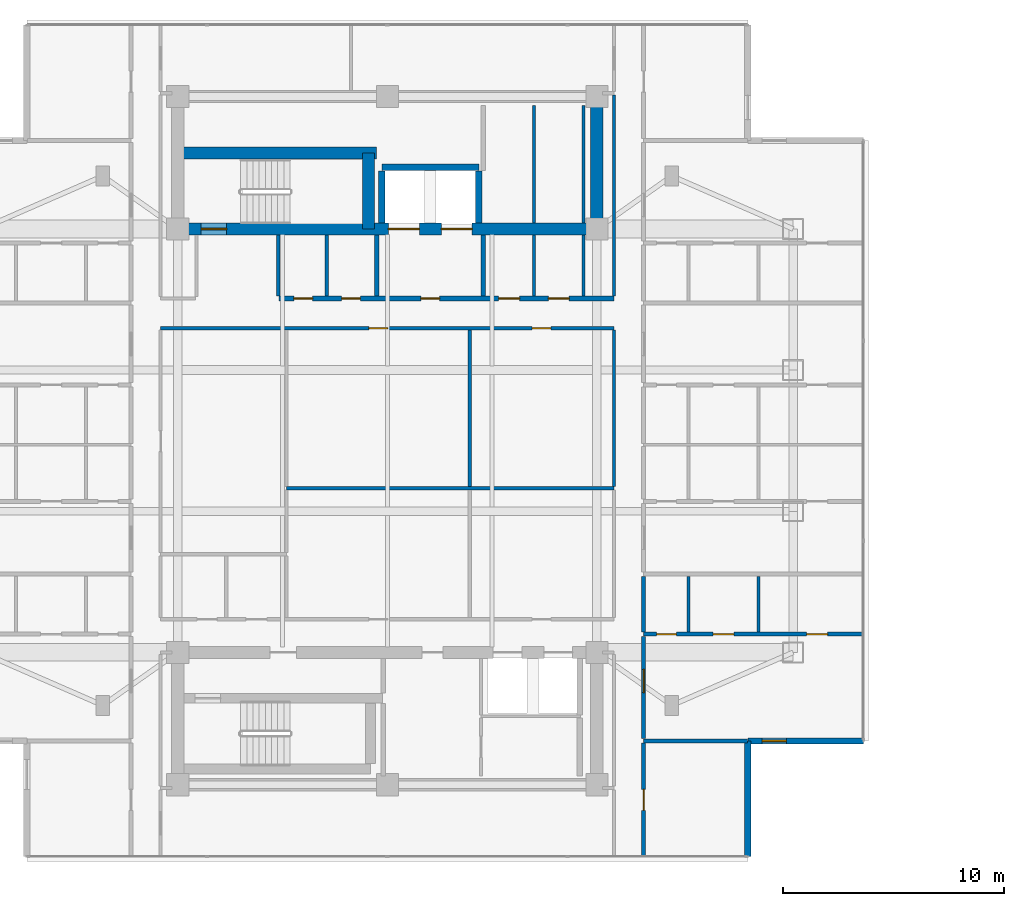
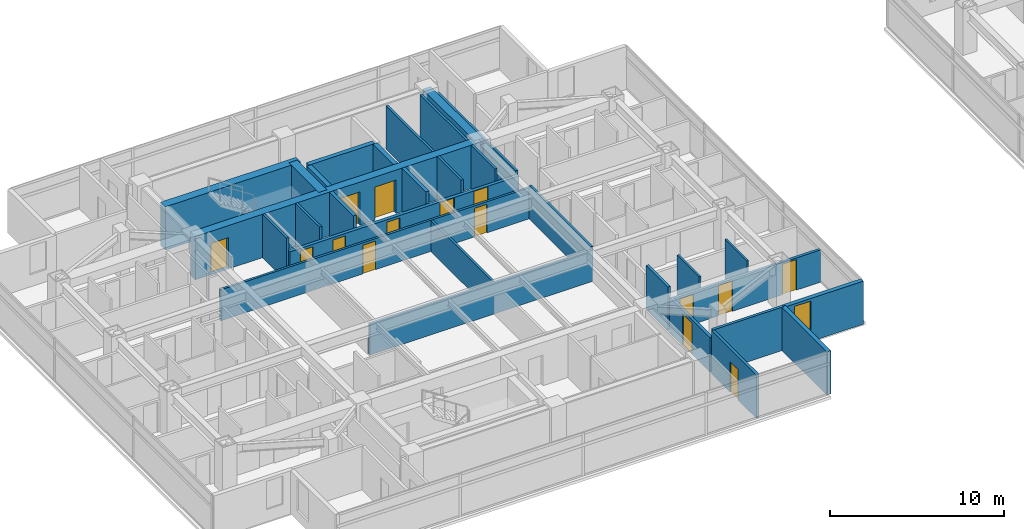
# One storey, part 14 of 25: 30 walls, 15 doors, 1 window, 16 openings.
"""IFC4 building model written with IfcOpenShell, lengths in metres."""

from ifc_helpers import new_model, si_unit, direction, frame, frame_2d, origin, place, context, subcontext, project, spatial, rectangle, extrude, material, layer, layer_set, type_object, element, fill, save


model = new_model("IFC4")

# Units and contexts
model_context = context("Model", 3, precision=1e-05, world=origin(), true_north=direction((0.0, 1.0)))
body_context = subcontext(model_context, "Body", "Model", "MODEL_VIEW")
ifc_project = project(units=[si_unit("LENGTHUNIT", "METRE"), si_unit("AREAUNIT", "SQUARE_METRE"), si_unit("VOLUMEUNIT", "CUBIC_METRE"), si_unit("PLANEANGLEUNIT", "RADIAN"), si_unit("MASSUNIT", "GRAM", prefix="KILO")], contexts=[model_context])

# Site, building, storey
site_placement = place(None, origin())
site = spatial("IfcSite", under=ifc_project, at=site_placement, CompositionType="ELEMENT")
building_placement = place(site_placement, origin())
building = spatial("IfcBuilding", under=site, at=building_placement, Name="Mirazonda Arch Towers", CompositionType="ELEMENT")
storey_placement = place(building_placement, frame((0.0, 0.0, 177.14990234375)))
storey = spatial("IfcBuildingStorey", under=building, at=storey_placement, Name="L50", CompositionType="ELEMENT", Elevation=177.14990234375)

# Wall
ifc_material_1 = material(Name="Concrete C50/60", Category="concrete")
ifc_layer_1 = layer(ifc_material_1, 0.550048828125, Name="WALL-CORE-550")
ifc_layer_set_1 = layer_set([ifc_layer_1], Name="Concrete C50/60")
wall_type_1 = type_object("IfcWallType", Name="WALL-CORE-550", PredefinedType="SHEAR", material=ifc_layer_set_1)
wall_1_placement = place(storey_placement, frame((30.0, 37.60009765625, 0.0), z_axis=(0.0, 0.0, 1.0), x_axis=(0.0, 1.0, 0.0)))
element("IfcWall", 1, at=wall_1_placement, inside=storey, type_object=wall_type_1, Name="L50 T1N-E Core Shear Wall", PredefinedType="SHEAR", context=body_context, shape_type="SweptSolid", body=[
    extrude(rectangle(XDim=6.0, YDim=0.550048828125, at=frame_2d((3.0, 0.0))), origin(), (0.0, 0.0, 1.0), 3.050048828125),
])

# Wall, openings, doors
wall_2_placement = place(storey_placement, frame((11.0, 37.60009765625, 0.0), z_axis=(0.0, 0.0, 1.0), x_axis=(1.0, 0.0, 0.0)))
wall_2 = element("IfcWall", 2, at=wall_2_placement, inside=storey, type_object=wall_type_1, Name="L50 T1N-S Core Shear Wall", PredefinedType="SHEAR", context=body_context, shape_type="SweptSolid", body=[
    extrude(rectangle(XDim=19.0, YDim=0.550048828125, at=frame_2d((9.5, 0.0))), origin(), (0.0, 0.0, 1.0), 3.050048828125),
])
opening_1_placement = place(wall_2_placement, frame((1.06005859375, 0.0, 0.0)))
opening_1 = element("IfcOpeningElement", 3, at=opening_1_placement, cuts=wall_2, Name="Opening DR-135", PredefinedType="OPENING", context=body_context, shape_type="SweptSolid", body=[
    extrude(rectangle(XDim=1.14990234375, YDim=2.199951171875, at=frame_2d((0.574951171875, 1.10009765625))), frame((0.0, 0.284912109375, 0.0), z_axis=(0.0, -1.0, 0.0), x_axis=(1.0, 0.0, 0.0)), (0.0, 0.0, 1.0), 0.570068359375),
])
opening_2_placement = place(wall_2_placement, frame((9.550048828125, 0.0, 0.0)))
opening_2 = element("IfcOpeningElement", 4, at=opening_2_placement, cuts=wall_2, Name="Opening LD-112", PredefinedType="OPENING", context=body_context, shape_type="SweptSolid", body=[
    extrude(rectangle(XDim=1.39990234375, YDim=2.35009765625, at=frame_2d((0.699951171875, 1.175048828125))), frame((0.0, 0.284912109375, 0.0), z_axis=(0.0, -1.0, 0.0), x_axis=(1.0, 0.0, 0.0)), (0.0, 0.0, 1.0), 0.570068359375),
])
opening_3_placement = place(wall_2_placement, frame((11.949951171875, 0.0, 0.0)))
opening_3 = element("IfcOpeningElement", 5, at=opening_3_placement, cuts=wall_2, Name="Opening LD-112", PredefinedType="OPENING", context=body_context, shape_type="SweptSolid", body=[
    extrude(rectangle(XDim=1.39990234375, YDim=2.35009765625, at=frame_2d((0.699951171875, 1.175048828125))), frame((0.0, 0.284912109375, 0.0), z_axis=(0.0, -1.0, 0.0), x_axis=(1.0, 0.0, 0.0)), (0.0, 0.0, 1.0), 0.570068359375),
])
ifc_material_2 = material(Name="Architectural Brushed Steel S355", Category="steel")
door_type_1 = type_object("IfcDoorType", Name="DOOR-LIFT-FFL-1400", OperationType="NOTDEFINED", PredefinedType="DOOR", material=ifc_material_2)
door_1_placement = place(opening_2_placement, origin())
door_1 = element("IfcDoor", 6, at=door_1_placement, inside=storey, type_object=door_type_1, Name="L50 Lift Landing Sliding Door FFL-T1", OperationType="DOUBLE_DOOR_SLIDING", OverallHeight=2.35009765625, OverallWidth=1.39990234375, PredefinedType="DOOR", context=body_context, shape_type="SweptSolid", body=[
    extrude(rectangle(XDim=1.39990234375, YDim=2.35009765625, at=frame_2d((0.699951171875, 1.175048828125))), frame((0.0, 0.02490234375, 0.0), z_axis=(0.0, -1.0, 0.0), x_axis=(1.0, 0.0, 0.0)), (0.0, 0.0, 1.0), 0.050048828125),
])
fill(opening_2, door_1)
door_2_placement = place(opening_3_placement, origin())
door_2 = element("IfcDoor", 7, at=door_2_placement, inside=storey, type_object=door_type_1, Name="L50 Lift Landing Sliding Door SVL-T1", OperationType="DOUBLE_DOOR_SLIDING", OverallHeight=2.35009765625, OverallWidth=1.39990234375, PredefinedType="DOOR", context=body_context, shape_type="SweptSolid", body=[
    extrude(rectangle(XDim=1.39990234375, YDim=2.35009765625, at=frame_2d((0.699951171875, 1.175048828125))), frame((0.0, 0.02490234375, 0.0), z_axis=(0.0, -1.0, 0.0), x_axis=(1.0, 0.0, 0.0)), (0.0, 0.0, 1.0), 0.050048828125),
])
fill(opening_3, door_2)
door_type_2 = type_object("IfcDoorType", Name="DOOR-STAIR-FD90-1150", OperationType="NOTDEFINED", PredefinedType="DOOR", material=ifc_material_2)
door_3_placement = place(opening_1_placement, origin())
door_3 = element("IfcDoor", 8, at=door_3_placement, inside=storey, type_object=door_type_2, Name="L50 Protected Exit Stair North Door", OperationType="SINGLE_SWING_LEFT", OverallHeight=2.199951171875, OverallWidth=1.14990234375, PredefinedType="DOOR", context=body_context, shape_type="SweptSolid", body=[
    extrude(rectangle(XDim=1.14990234375, YDim=2.199951171875, at=frame_2d((0.574951171875, 1.10009765625))), frame((0.0, 0.02490234375, 0.0), z_axis=(0.0, -1.0, 0.0), x_axis=(1.0, 0.0, 0.0)), (0.0, 0.0, 1.0), 0.050048828125),
])
fill(opening_1, door_3)

# Walls
wall_3_placement = place(storey_placement, frame((11.0, 41.04296875, 0.0), z_axis=(0.0, 0.0, 1.0), x_axis=(1.0, 0.0, 0.0)))
element("IfcWall", 9, at=wall_3_placement, inside=storey, type_object=wall_type_1, Name="L50 T1N-STN Core Shear Wall", PredefinedType="SHEAR", context=body_context, shape_type="SweptSolid", body=[
    extrude(rectangle(XDim=9.0, YDim=0.550048828125, at=frame_2d((4.5, 0.0))), origin(), (0.0, 0.0, 1.0), 3.050048828125),
])
wall_4_placement = place(storey_placement, frame((19.64990234375, 37.60009765625, 0.0), z_axis=(0.0, 0.0, 1.0), x_axis=(0.0, 1.0, 0.0)))
element("IfcWall", 10, at=wall_4_placement, inside=storey, type_object=wall_type_1, Name="L50 T1N-STE Core Shear Wall", PredefinedType="SHEAR", context=body_context, shape_type="SweptSolid", body=[
    extrude(rectangle(XDim=3.44287109375, YDim=0.550048828125, at=frame_2d((1.721435546875, 0.0))), origin(), (0.0, 0.0, 1.0), 3.050048828125),
])

# Wall, opening, window
ifc_material_3 = material(Name="Precast Concrete C40/50", Category="concrete")
ifc_layer_2 = layer(ifc_material_3, 0.280029296875, Name="WALL-EXT-WALL-280")
ifc_layer_set_2 = layer_set([ifc_layer_2], Name="Precast Concrete C40/50")
wall_type_2 = type_object("IfcWallType", Name="WALL-EXT-WALL-280", PredefinedType="SOLIDWALL", material=ifc_layer_set_2)
wall_5_placement = place(storey_placement, frame((36.844970703125, 14.388916015625, 0.0), z_axis=(0.0, 0.0, 1.0), x_axis=(1.0, 0.0, 0.0)))
wall_5 = element("IfcWall", 11, at=wall_5_placement, inside=storey, type_object=wall_type_2, Name="L50 T1 Corner Notch Return Wall WL-L50-T1-CSE1", PredefinedType="SOLIDWALL", context=body_context, shape_type="SweptSolid", body=[
    extrude(rectangle(XDim=5.2451171875, YDim=0.280029296875, at=frame_2d((2.62255859375, 0.0))), origin(), (0.0, 0.0, 1.0), 3.030029296875),
])
opening_4_placement = place(wall_5_placement, frame((0.64990234375, 0.0, 0.85009765625)))
opening_4 = element("IfcOpeningElement", 12, at=opening_4_placement, cuts=wall_5, Name="Opening WN-108", PredefinedType="OPENING", context=body_context, shape_type="SweptSolid", body=[
    extrude(rectangle(XDim=1.10009765625, YDim=2.0, at=frame_2d((0.550048828125, 1.0))), frame((0.0, 0.14990234375, 0.0), z_axis=(0.0, -1.0, 0.0), x_axis=(1.0, 0.0, 0.0)), (0.0, 0.0, 1.0), 0.300048828125),
])
ifc_material_4 = material(Name="Insulated Low-E Solar Glass", Category="glass")
window_type = type_object("IfcWindowType", Name="WIN-NOTCH-1100x2000", PartitioningType="SINGLE_PANEL", PredefinedType="WINDOW", material=ifc_material_4)
window_placement = place(opening_4_placement, origin())
window = element("IfcWindow", 13, at=window_placement, inside=storey, type_object=window_type, Name="L50 Punched Facade Window WN-L50-T1-CSE1", OverallHeight=2.0, OverallWidth=1.10009765625, PartitioningType="SINGLE_PANEL", PredefinedType="WINDOW", context=body_context, shape_type="SweptSolid", body=[
    extrude(rectangle(XDim=1.10009765625, YDim=2.0, at=frame_2d((0.550048828125, 1.0))), frame((0.0, 0.030029296875, 0.0), z_axis=(0.0, -1.0, 0.0), x_axis=(1.0, 0.0, 0.0)), (0.0, 0.0, 1.0), 0.06005859375),
])
fill(opening_4, window)

# Wall
wall_6_placement = place(storey_placement, frame((36.844970703125, 9.14404296875, 0.0), z_axis=(0.0, 0.0, 1.0), x_axis=(0.0, 1.0, 0.0)))
element("IfcWall", 14, at=wall_6_placement, inside=storey, type_object=wall_type_2, Name="L50 T1 Corner Notch Return Wall WL-L50-T1-CSE2", PredefinedType="SOLIDWALL", context=body_context, shape_type="SweptSolid", body=[
    extrude(rectangle(XDim=5.244873046875, YDim=0.280029296875, at=frame_2d((2.62255859375, 0.0))), origin(), (0.0, 0.0, 1.0), 3.030029296875),
])

# Wall, openings, doors
ifc_material_5 = material(Name="Concrete C40/50", Category="concrete")
ifc_layer_3 = layer(ifc_material_5, 0.219970703125, Name="WALL-FFL-220")
ifc_layer_set_3 = layer_set([ifc_layer_3], Name="Concrete C40/50")
wall_type_3 = type_object("IfcWallType", Name="WALL-FFL-220", PredefinedType="SOLIDWALL", material=ifc_layer_set_3)
wall_7_placement = place(storey_placement, frame((15.590087890625, 34.449951171875, 0.0), z_axis=(0.0, 0.0, 1.0), x_axis=(1.0, 0.0, 0.0)))
wall_7 = element("IfcWall", 15, at=wall_7_placement, inside=storey, type_object=wall_type_3, Name="L50 Interior Partition 050", PredefinedType="SOLIDWALL", context=body_context, shape_type="SweptSolid", body=[
    extrude(rectangle(XDim=15.18994140625, YDim=0.219970703125, at=frame_2d((7.594970703125, 0.0))), origin(), (0.0, 0.0, 1.0), 2.18603515625),
])
opening_5_placement = place(wall_7_placement, frame((6.43505859375, 0.0, 0.0)))
opening_5 = element("IfcOpeningElement", 16, at=opening_5_placement, cuts=wall_7, Name="Opening DR-128", PredefinedType="OPENING", context=body_context, shape_type="SweptSolid", body=[
    extrude(rectangle(XDim=0.85009765625, YDim=2.010009765625, at=frame_2d((0.425048828125, 1.0048828125))), frame((0.0, 0.119873046875, 0.0), z_axis=(0.0, -1.0, 0.0), x_axis=(1.0, 0.0, 0.0)), (0.0, 0.0, 1.0), 0.239990234375),
])
opening_6_placement = place(wall_7_placement, frame((9.9599609375, 0.0, 0.0)))
opening_6 = element("IfcOpeningElement", 17, at=opening_6_placement, cuts=wall_7, Name="Opening DR-104", PredefinedType="OPENING", context=body_context, shape_type="SweptSolid", body=[
    extrude(rectangle(XDim=0.949951171875, YDim=2.14990234375, at=frame_2d((0.47509765625, 1.074951171875))), frame((0.0, 0.119873046875, 0.0), z_axis=(0.0, -1.0, 0.0), x_axis=(1.0, 0.0, 0.0)), (0.0, 0.0, 1.0), 0.239990234375),
])
opening_7_placement = place(wall_7_placement, frame((12.2099609375, 0.0, 0.0)))
opening_7 = element("IfcOpeningElement", 18, at=opening_7_placement, cuts=wall_7, Name="Opening DR-104", PredefinedType="OPENING", context=body_context, shape_type="SweptSolid", body=[
    extrude(rectangle(XDim=0.949951171875, YDim=2.14990234375, at=frame_2d((0.47509765625, 1.074951171875))), frame((0.0, 0.119873046875, 0.0), z_axis=(0.0, -1.0, 0.0), x_axis=(1.0, 0.0, 0.0)), (0.0, 0.0, 1.0), 0.239990234375),
])
opening_8_placement = place(wall_7_placement, frame((0.675048828125, 0.0, 0.0)))
opening_8 = element("IfcOpeningElement", 19, at=opening_8_placement, cuts=wall_7, Name="Opening DR-128", PredefinedType="OPENING", context=body_context, shape_type="SweptSolid", body=[
    extrude(rectangle(XDim=0.85009765625, YDim=2.010009765625, at=frame_2d((0.425048828125, 1.0048828125))), frame((0.0, 0.119873046875, 0.0), z_axis=(0.0, -1.0, 0.0), x_axis=(1.0, 0.0, 0.0)), (0.0, 0.0, 1.0), 0.239990234375),
])
opening_9_placement = place(wall_7_placement, frame((2.8349609375, 0.0, 0.0)))
opening_9 = element("IfcOpeningElement", 20, at=opening_9_placement, cuts=wall_7, Name="Opening DR-128", PredefinedType="OPENING", context=body_context, shape_type="SweptSolid", body=[
    extrude(rectangle(XDim=0.85009765625, YDim=2.010009765625, at=frame_2d((0.425048828125, 1.0048828125))), frame((0.0, 0.119873046875, 0.0), z_axis=(0.0, -1.0, 0.0), x_axis=(1.0, 0.0, 0.0)), (0.0, 0.0, 1.0), 0.239990234375),
])
door_type_3 = type_object("IfcDoorType", Name="DOOR-RISER-FD60-850", OperationType="NOTDEFINED", PredefinedType="DOOR", material=ifc_material_2)
door_4_placement = place(opening_5_placement, origin())
door_4 = element("IfcDoor", 21, at=door_4_placement, inside=storey, type_object=door_type_3, Name="L50 Firefighting Lift Lobby Door", OperationType="SINGLE_SWING_RIGHT", OverallHeight=2.010009765625, OverallWidth=0.85009765625, PredefinedType="DOOR", context=body_context, shape_type="SweptSolid", body=[
    extrude(rectangle(XDim=0.85009765625, YDim=2.010009765625, at=frame_2d((0.425048828125, 1.0048828125))), frame((0.0, 0.02490234375, 0.0), z_axis=(0.0, -1.0, 0.0), x_axis=(1.0, 0.0, 0.0)), (0.0, 0.0, 1.0), 0.050048828125),
])
fill(opening_5, door_4)
door_5_placement = place(opening_8_placement, origin())
door_5 = element("IfcDoor", 22, at=door_5_placement, inside=storey, type_object=door_type_3, Name="L50 Electrical Room Door", OperationType="SINGLE_SWING_LEFT", OverallHeight=2.010009765625, OverallWidth=0.85009765625, PredefinedType="DOOR", context=body_context, shape_type="SweptSolid", body=[
    extrude(rectangle(XDim=0.85009765625, YDim=2.010009765625, at=frame_2d((0.425048828125, 1.0048828125))), frame((0.0, 0.02490234375, 0.0), z_axis=(0.0, -1.0, 0.0), x_axis=(1.0, 0.0, 0.0)), (0.0, 0.0, 1.0), 0.050048828125),
])
fill(opening_8, door_5)
door_6_placement = place(opening_9_placement, origin())
door_6 = element("IfcDoor", 23, at=door_6_placement, inside=storey, type_object=door_type_3, Name="L50 Cleaners & Housekeeping Store Door", OperationType="SINGLE_SWING_RIGHT", OverallHeight=2.010009765625, OverallWidth=0.85009765625, PredefinedType="DOOR", context=body_context, shape_type="SweptSolid", body=[
    extrude(rectangle(XDim=0.85009765625, YDim=2.010009765625, at=frame_2d((0.425048828125, 1.0048828125))), frame((0.0, 0.02490234375, 0.0), z_axis=(0.0, -1.0, 0.0), x_axis=(1.0, 0.0, 0.0)), (0.0, 0.0, 1.0), 0.050048828125),
])
fill(opening_9, door_6)
door_type_4 = type_object("IfcDoorType", Name="DOOR-ROOM-950", OperationType="NOTDEFINED", PredefinedType="DOOR", material=ifc_material_2)
door_7_placement = place(opening_6_placement, origin())
door_7 = element("IfcDoor", 24, at=door_7_placement, inside=storey, type_object=door_type_4, Name="L50 Residents Private Art Gallery Door", OperationType="SINGLE_SWING_LEFT", OverallHeight=2.14990234375, OverallWidth=0.949951171875, PredefinedType="DOOR", context=body_context, shape_type="SweptSolid", body=[
    extrude(rectangle(XDim=0.949951171875, YDim=2.14990234375, at=frame_2d((0.47509765625, 1.074951171875))), frame((0.0, 0.02490234375, 0.0), z_axis=(0.0, -1.0, 0.0), x_axis=(1.0, 0.0, 0.0)), (0.0, 0.0, 1.0), 0.050048828125),
])
fill(opening_6, door_7)
door_8_placement = place(opening_7_placement, origin())
door_8 = element("IfcDoor", 25, at=door_8_placement, inside=storey, type_object=door_type_4, Name="L50 Private Quiet Study Door", OperationType="SINGLE_SWING_RIGHT", OverallHeight=2.14990234375, OverallWidth=0.949951171875, PredefinedType="DOOR", context=body_context, shape_type="SweptSolid", body=[
    extrude(rectangle(XDim=0.949951171875, YDim=2.14990234375, at=frame_2d((0.47509765625, 1.074951171875))), frame((0.0, 0.02490234375, 0.0), z_axis=(0.0, -1.0, 0.0), x_axis=(1.0, 0.0, 0.0)), (0.0, 0.0, 1.0), 0.050048828125),
])
fill(opening_7, door_8)

# Walls
for number, where, z_axis, x_axis, name in (
    (26, (20.02490234375, 34.570068359375, 0.0), (0.0, 0.0, 1.0), (0.0, 1.0, 0.0), "L50 Interior Partition 097"),
    (27, (24.85009765625, 34.570068359375, 0.0), (0.0, 0.0, 1.0), (0.0, 1.0, 0.0), "L50 Interior Partition 106"),
):
    element("IfcWall", number, at=place(storey_placement, frame(where, z_axis=z_axis, x_axis=x_axis)), inside=storey, type_object=wall_type_3, Name=name, PredefinedType="SOLIDWALL", context=body_context, shape_type="SweptSolid", body=[
        extrude(rectangle(XDim=2.760009765625, YDim=0.219970703125, at=frame_2d((1.3798828125, 0.0))), origin(), (0.0, 0.0, 1.0), 3.050048828125),
    ])
ifc_material_6 = material(Name="Fire-Rated Gypsum Stud Partition")
ifc_layer_4 = layer(ifc_material_6, 0.14990234375, Name="WALL-PART-CORR-150")
ifc_layer_set_4 = layer_set([ifc_layer_4], Name="Fire-Rated Gypsum Stud Partition")
wall_type_4 = type_object("IfcWallType", Name="WALL-PART-CORR-150", PredefinedType="PARTITIONING", material=ifc_layer_set_4)
wall_8_placement = place(storey_placement, frame((15.929931640625, 25.840087890625, 0.0), z_axis=(0.0, 0.0, 1.0), x_axis=(1.0, 0.0, 0.0)))
element("IfcWall", 28, at=wall_8_placement, inside=storey, type_object=wall_type_4, Name="L50 Interior Partition 032", PredefinedType="PARTITIONING", context=body_context, shape_type="SweptSolid", body=[
    extrude(rectangle(XDim=14.85009765625, YDim=0.14990234375, at=frame_2d((7.425048828125, 0.0))), origin(), (0.0, 0.0, 1.0), 2.18603515625),
])

# Wall, openings, doors
wall_9_placement = place(storey_placement, frame((10.219970703125, 33.10009765625, 0.0), z_axis=(0.0, 0.0, 1.0), x_axis=(1.0, 0.0, 0.0)))
wall_9 = element("IfcWall", 29, at=wall_9_placement, inside=storey, type_object=wall_type_4, Name="L50 Interior Partition 046", PredefinedType="PARTITIONING", context=body_context, shape_type="SweptSolid", body=[
    extrude(rectangle(XDim=20.56005859375, YDim=0.14990234375, at=frame_2d((10.280029296875, 0.0))), origin(), (0.0, 0.0, 1.0), 2.18603515625),
])
opening_10_placement = place(wall_9_placement, frame((9.443115234375, 0.0, 0.0)))
opening_10 = element("IfcOpeningElement", 30, at=opening_10_placement, cuts=wall_9, Name="Opening DR-128", PredefinedType="OPENING", context=body_context, shape_type="SweptSolid", body=[
    extrude(rectangle(XDim=0.85009765625, YDim=2.010009765625, at=frame_2d((0.425048828125, 1.0048828125))), frame((0.0, 0.0849609375, 0.0), z_axis=(0.0, -1.0, 0.0), x_axis=(1.0, 0.0, 0.0)), (0.0, 0.0, 1.0), 0.169921875),
])
opening_11_placement = place(wall_9_placement, frame((16.847900390625, 0.0, 0.0)))
opening_11 = element("IfcOpeningElement", 31, at=opening_11_placement, cuts=wall_9, Name="Opening DR-128", PredefinedType="OPENING", context=body_context, shape_type="SweptSolid", body=[
    extrude(rectangle(XDim=0.85009765625, YDim=2.010009765625, at=frame_2d((0.425048828125, 1.0048828125))), frame((0.0, 0.0849609375, 0.0), z_axis=(0.0, -1.0, 0.0), x_axis=(1.0, 0.0, 0.0)), (0.0, 0.0, 1.0), 0.169921875),
])
door_9_placement = place(opening_10_placement, origin())
door_9 = element("IfcDoor", 32, at=door_9_placement, inside=storey, type_object=door_type_3, Name="L50 Private Dining Room Door", OperationType="SINGLE_SWING_RIGHT", OverallHeight=2.010009765625, OverallWidth=0.85009765625, PredefinedType="DOOR", context=body_context, shape_type="SweptSolid", body=[
    extrude(rectangle(XDim=0.85009765625, YDim=2.010009765625, at=frame_2d((0.425048828125, 1.0048828125))), frame((0.0, 0.02490234375, 0.0), z_axis=(0.0, -1.0, 0.0), x_axis=(1.0, 0.0, 0.0)), (0.0, 0.0, 1.0), 0.050048828125),
])
fill(opening_10, door_9)
door_10_placement = place(opening_11_placement, origin())
door_10 = element("IfcDoor", 33, at=door_10_placement, inside=storey, type_object=door_type_3, Name="L50 Collectors Gallery Study Door", OperationType="SINGLE_SWING_LEFT", OverallHeight=2.010009765625, OverallWidth=0.85009765625, PredefinedType="DOOR", context=body_context, shape_type="SweptSolid", body=[
    extrude(rectangle(XDim=0.85009765625, YDim=2.010009765625, at=frame_2d((0.425048828125, 1.0048828125))), frame((0.0, 0.02490234375, 0.0), z_axis=(0.0, -1.0, 0.0), x_axis=(1.0, 0.0, 0.0)), (0.0, 0.0, 1.0), 0.050048828125),
])
fill(opening_11, door_10)

# Walls
for number, where, z_axis, x_axis, name in (
    (34, (15.550048828125, 34.570068359375, 0.0), (0.0, 0.0, 1.0), (0.0, 1.0, 0.0), "L50 Interior Partition 090"),
    (35, (17.75, 34.570068359375, 0.0), (0.0, 0.0, 1.0), (0.0, 1.0, 0.0), "L50 Interior Partition 094"),
):
    element("IfcWall", number, at=place(storey_placement, frame(where, z_axis=z_axis, x_axis=x_axis)), inside=storey, type_object=wall_type_4, Name=name, PredefinedType="PARTITIONING", context=body_context, shape_type="SweptSolid", body=[
        extrude(rectangle(XDim=2.760009765625, YDim=0.14990234375, at=frame_2d((1.3798828125, 0.0))), origin(), (0.0, 0.0, 1.0), 3.050048828125),
    ])
wall_10_placement = place(storey_placement, frame((24.24609375, 25.925048828125, 0.0), z_axis=(0.0, 0.0, 1.0), x_axis=(0.0, 1.0, 0.0)))
element("IfcWall", 36, at=wall_10_placement, inside=storey, type_object=wall_type_4, Name="L50 Interior Partition 102", PredefinedType="PARTITIONING", context=body_context, shape_type="SweptSolid", body=[
    extrude(rectangle(XDim=7.08984375, YDim=0.14990234375, at=frame_2d((3.544921875, 0.0))), origin(), (0.0, 0.0, 1.0), 2.18603515625),
])
wall_11_placement = place(storey_placement, frame((27.14990234375, 34.570068359375, 0.0), z_axis=(0.0, 0.0, 1.0), x_axis=(0.0, 1.0, 0.0)))
element("IfcWall", 37, at=wall_11_placement, inside=storey, type_object=wall_type_4, Name="L50 Interior Partition 108", PredefinedType="PARTITIONING", context=body_context, shape_type="SweptSolid", body=[
    extrude(rectangle(XDim=2.760009765625, YDim=0.14990234375, at=frame_2d((1.3798828125, 0.0))), origin(), (0.0, 0.0, 1.0), 3.050048828125),
])
wall_12_placement = place(storey_placement, frame((27.14990234375, 37.8701171875, 0.0), z_axis=(0.0, 0.0, 1.0), x_axis=(0.0, 1.0, 0.0)))
element("IfcWall", 38, at=wall_12_placement, inside=storey, type_object=wall_type_4, Name="L50 Interior Partition 109", PredefinedType="PARTITIONING", context=body_context, shape_type="SweptSolid", body=[
    extrude(rectangle(XDim=5.329833984375, YDim=0.14990234375, at=frame_2d((2.6650390625, 0.0))), origin(), (0.0, 0.0, 1.0), 3.050048828125),
])
wall_13_placement = place(storey_placement, frame((29.39990234375, 34.570068359375, 0.0), z_axis=(0.0, 0.0, 1.0), x_axis=(0.0, 1.0, 0.0)))
element("IfcWall", 39, at=wall_13_placement, inside=storey, type_object=wall_type_4, Name="L50 Interior Partition 112", PredefinedType="PARTITIONING", context=body_context, shape_type="SweptSolid", body=[
    extrude(rectangle(XDim=2.760009765625, YDim=0.14990234375, at=frame_2d((1.3798828125, 0.0))), origin(), (0.0, 0.0, 1.0), 3.050048828125),
])
wall_14_placement = place(storey_placement, frame((29.39990234375, 37.8701171875, 0.0), z_axis=(0.0, 0.0, 1.0), x_axis=(0.0, 1.0, 0.0)))
element("IfcWall", 40, at=wall_14_placement, inside=storey, type_object=wall_type_4, Name="L50 Interior Partition 113", PredefinedType="PARTITIONING", context=body_context, shape_type="SweptSolid", body=[
    extrude(rectangle(XDim=5.329833984375, YDim=0.14990234375, at=frame_2d((2.6650390625, 0.0))), origin(), (0.0, 0.0, 1.0), 3.050048828125),
])
wall_15_placement = place(storey_placement, frame((30.780029296875, 25.925048828125, 0.0), z_axis=(0.0, 0.0, 1.0), x_axis=(0.0, 1.0, 0.0)))
element("IfcWall", 41, at=wall_15_placement, inside=storey, type_object=wall_type_4, Name="L50 Interior Partition 117", PredefinedType="PARTITIONING", context=body_context, shape_type="SweptSolid", body=[
    extrude(rectangle(XDim=7.08984375, YDim=0.14990234375, at=frame_2d((3.544921875, 0.0))), origin(), (0.0, 0.0, 1.0), 2.34619140625),
])
wall_16_placement = place(storey_placement, frame((30.780029296875, 34.570068359375, 0.0), z_axis=(0.0, 0.0, 1.0), x_axis=(0.0, 1.0, 0.0)))
element("IfcWall", 42, at=wall_16_placement, inside=storey, type_object=wall_type_4, Name="L50 Interior Partition 118", PredefinedType="PARTITIONING", context=body_context, shape_type="SweptSolid", body=[
    extrude(rectangle(XDim=9.094970703125, YDim=0.14990234375, at=frame_2d((4.54736328125, 0.0))), origin(), (0.0, 0.0, 1.0), 2.442138671875),
])
ifc_material_7 = material(Name="Fire-Rated Gypsum Twin-Stud Assembly")
ifc_layer_5 = layer(ifc_material_7, 0.179931640625, Name="WALL-PART-DEMISE-180")
ifc_layer_set_5 = layer_set([ifc_layer_5], Name="Fire-Rated Gypsum Twin-Stud Assembly")
wall_type_5 = type_object("IfcWallType", Name="WALL-PART-DEMISE-180", PredefinedType="PARTITIONING", material=ifc_layer_set_5)
wall_17_placement = place(storey_placement, frame((32.1201171875, 14.388916015625, 0.0), z_axis=(0.0, 0.0, 1.0), x_axis=(1.0, 0.0, 0.0)))
element("IfcWall", 43, at=wall_17_placement, inside=storey, type_object=wall_type_5, Name="L50 Interior Partition 005", PredefinedType="PARTITIONING", context=body_context, shape_type="SweptSolid", body=[
    extrude(rectangle(XDim=4.704833984375, YDim=0.179931640625, at=frame_2d((2.3525390625, 0.0))), origin(), (0.0, 0.0, 1.0), 3.050048828125),
])

# Wall, openings, doors
wall_18_placement = place(storey_placement, frame((32.1201171875, 19.22509765625, 0.0), z_axis=(0.0, 0.0, 1.0), x_axis=(1.0, 0.0, 0.0)))
wall_18 = element("IfcWall", 44, at=wall_18_placement, inside=storey, type_object=wall_type_5, Name="L50 Interior Partition 015", PredefinedType="PARTITIONING", context=body_context, shape_type="SweptSolid", body=[
    extrude(rectangle(XDim=9.969970703125, YDim=0.179931640625, at=frame_2d((4.98486328125, 0.0))), origin(), (0.0, 0.0, 1.0), 2.26904296875),
])
opening_12_placement = place(wall_18_placement, frame((7.39599609375, 0.0, 0.0)))
opening_12 = element("IfcOpeningElement", 45, at=opening_12_placement, cuts=wall_18, Name="Opening DR-104", PredefinedType="OPENING", context=body_context, shape_type="SweptSolid", body=[
    extrude(rectangle(XDim=0.949951171875, YDim=2.14990234375, at=frame_2d((0.47509765625, 1.074951171875))), frame((0.0, 0.099853515625, 0.0), z_axis=(0.0, -1.0, 0.0), x_axis=(1.0, 0.0, 0.0)), (0.0, 0.0, 1.0), 0.199951171875),
])
opening_13_placement = place(wall_18_placement, frame((3.15087890625, 0.0, 0.0)))
opening_13 = element("IfcOpeningElement", 46, at=opening_13_placement, cuts=wall_18, Name="Opening DR-104", PredefinedType="OPENING", context=body_context, shape_type="SweptSolid", body=[
    extrude(rectangle(XDim=0.949951171875, YDim=2.14990234375, at=frame_2d((0.47509765625, 1.074951171875))), frame((0.0, 0.099853515625, 0.0), z_axis=(0.0, -1.0, 0.0), x_axis=(1.0, 0.0, 0.0)), (0.0, 0.0, 1.0), 0.199951171875),
])
opening_14_placement = place(wall_18_placement, frame((0.590087890625, 0.0, 0.0)))
opening_14 = element("IfcOpeningElement", 47, at=opening_14_placement, cuts=wall_18, Name="Opening DR-120", PredefinedType="OPENING", context=body_context, shape_type="SweptSolid", body=[
    extrude(rectangle(XDim=0.89990234375, YDim=2.10009765625, at=frame_2d((0.449951171875, 1.050048828125))), frame((0.0, 0.099853515625, 0.0), z_axis=(0.0, -1.0, 0.0), x_axis=(1.0, 0.0, 0.0)), (0.0, 0.0, 1.0), 0.199951171875),
])
door_11_placement = place(opening_12_placement, origin())
door_11 = element("IfcDoor", 48, at=door_11_placement, inside=storey, type_object=door_type_4, Name="L50 Residence 1 Principal Bedroom Door", OperationType="SINGLE_SWING_LEFT", OverallHeight=2.14990234375, OverallWidth=0.949951171875, PredefinedType="DOOR", context=body_context, shape_type="SweptSolid", body=[
    extrude(rectangle(XDim=0.949951171875, YDim=2.14990234375, at=frame_2d((0.47509765625, 1.074951171875))), frame((0.0, 0.02490234375, 0.0), z_axis=(0.0, -1.0, 0.0), x_axis=(1.0, 0.0, 0.0)), (0.0, 0.0, 1.0), 0.050048828125),
])
fill(opening_12, door_11)
door_12_placement = place(opening_13_placement, origin())
door_12 = element("IfcDoor", 49, at=door_12_placement, inside=storey, type_object=door_type_4, Name="L50 Residence 1 Fitted Kitchen Door", OperationType="SINGLE_SWING_RIGHT", OverallHeight=2.14990234375, OverallWidth=0.949951171875, PredefinedType="DOOR", context=body_context, shape_type="SweptSolid", body=[
    extrude(rectangle(XDim=0.949951171875, YDim=2.14990234375, at=frame_2d((0.47509765625, 1.074951171875))), frame((0.0, 0.02490234375, 0.0), z_axis=(0.0, -1.0, 0.0), x_axis=(1.0, 0.0, 0.0)), (0.0, 0.0, 1.0), 0.050048828125),
])
fill(opening_13, door_12)
door_type_5 = type_object("IfcDoorType", Name="DOOR-WC-900", OperationType="NOTDEFINED", PredefinedType="DOOR", material=ifc_material_2)
door_13_placement = place(opening_14_placement, origin())
door_13 = element("IfcDoor", 50, at=door_13_placement, inside=storey, type_object=door_type_5, Name="L50 Residence 1 Bathroom Door", OperationType="SINGLE_SWING_LEFT", OverallHeight=2.10009765625, OverallWidth=0.89990234375, PredefinedType="DOOR", context=body_context, shape_type="SweptSolid", body=[
    extrude(rectangle(XDim=0.89990234375, YDim=2.10009765625, at=frame_2d((0.449951171875, 1.050048828125))), frame((0.0, 0.02490234375, 0.0), z_axis=(0.0, -1.0, 0.0), x_axis=(1.0, 0.0, 0.0)), (0.0, 0.0, 1.0), 0.050048828125),
])
fill(opening_14, door_13)

# Wall, opening, door
wall_19_placement = place(storey_placement, frame((32.1201171875, 9.14404296875, 0.0), z_axis=(0.0, 0.0, 1.0), x_axis=(0.0, 1.0, 0.0)))
wall_19 = element("IfcWall", 51, at=wall_19_placement, inside=storey, type_object=wall_type_5, Name="L50 Interior Partition 120", PredefinedType="PARTITIONING", context=body_context, shape_type="SweptSolid", body=[
    extrude(rectangle(XDim=5.14501953125, YDim=0.179931640625, at=frame_2d((2.572509765625, 0.0))), origin(), (0.0, 0.0, 1.0), 3.050048828125),
])
opening_15_placement = place(wall_19_placement, frame((2.097412109375, 0.0, 0.0)))
opening_15 = element("IfcOpeningElement", 52, at=opening_15_placement, cuts=wall_19, Name="Opening DR-104", PredefinedType="OPENING", context=body_context, shape_type="SweptSolid", body=[
    extrude(rectangle(XDim=0.949951171875, YDim=2.14990234375, at=frame_2d((0.47509765625, 1.074951171875))), frame((0.0, 0.099853515625, 0.0), z_axis=(0.0, -1.0, 0.0), x_axis=(1.0, 0.0, 0.0)), (0.0, 0.0, 1.0), 0.199951171875),
])
door_14_placement = place(opening_15_placement, origin())
door_14 = element("IfcDoor", 53, at=door_14_placement, inside=storey, type_object=door_type_4, Name="L50 South Panoramic Study Alcove East Door", OperationType="SINGLE_SWING_RIGHT", OverallHeight=2.14990234375, OverallWidth=0.949951171875, PredefinedType="DOOR", context=body_context, shape_type="SweptSolid", body=[
    extrude(rectangle(XDim=0.949951171875, YDim=2.14990234375, at=frame_2d((0.47509765625, 1.074951171875))), frame((0.0, 0.02490234375, 0.0), z_axis=(0.0, -1.0, 0.0), x_axis=(1.0, 0.0, 0.0)), (0.0, 0.0, 1.0), 0.050048828125),
])
fill(opening_15, door_14)

wall_20_placement = place(storey_placement, frame((32.1201171875, 14.489013671875, 0.0), z_axis=(0.0, 0.0, 1.0), x_axis=(0.0, 1.0, 0.0)))
wall_20 = element("IfcWall", 54, at=wall_20_placement, inside=storey, type_object=wall_type_5, Name="L50 Interior Partition 121", PredefinedType="PARTITIONING", context=body_context, shape_type="SweptSolid", body=[
    extrude(rectangle(XDim=4.635986328125, YDim=0.179931640625, at=frame_2d((2.31787109375, 0.0))), origin(), (0.0, 0.0, 1.0), 2.442138671875),
])
opening_16_placement = place(wall_20_placement, frame((2.093017578125, 0.0, 0.0)))
opening_16 = element("IfcOpeningElement", 55, at=opening_16_placement, cuts=wall_20, Name="Opening DR-121", PredefinedType="OPENING", context=body_context, shape_type="SweptSolid", body=[
    extrude(rectangle(XDim=1.050048828125, YDim=2.199951171875, at=frame_2d((0.52490234375, 1.10009765625))), frame((0.0, 0.099853515625, 0.0), z_axis=(0.0, -1.0, 0.0), x_axis=(1.0, 0.0, 0.0)), (0.0, 0.0, 1.0), 0.199951171875),
])
door_type_6 = type_object("IfcDoorType", Name="DOOR-SUITE-FD60-1050", OperationType="NOTDEFINED", PredefinedType="DOOR", material=ifc_material_2)
door_15_placement = place(opening_16_placement, origin())
door_15 = element("IfcDoor", 56, at=door_15_placement, inside=storey, type_object=door_type_6, Name="L50 Residence 1 Living & Dining Salon Door", OperationType="SINGLE_SWING_RIGHT", OverallHeight=2.199951171875, OverallWidth=1.050048828125, PredefinedType="DOOR", context=body_context, shape_type="SweptSolid", body=[
    extrude(rectangle(XDim=1.050048828125, YDim=2.199951171875, at=frame_2d((0.52490234375, 1.10009765625))), frame((0.0, 0.02490234375, 0.0), z_axis=(0.0, -1.0, 0.0), x_axis=(1.0, 0.0, 0.0)), (0.0, 0.0, 1.0), 0.050048828125),
])
fill(opening_16, door_15)

# Walls
wall_21_placement = place(storey_placement, frame((32.1201171875, 19.324951171875, 0.0), z_axis=(0.0, 0.0, 1.0), x_axis=(0.0, 1.0, 0.0)))
element("IfcWall", 57, at=wall_21_placement, inside=storey, type_object=wall_type_5, Name="L50 Interior Partition 122", PredefinedType="PARTITIONING", context=body_context, shape_type="SweptSolid", body=[
    extrude(rectangle(XDim=2.52001953125, YDim=0.179931640625, at=frame_2d((1.260009765625, 0.0))), origin(), (0.0, 0.0, 1.0), 3.050048828125),
])
ifc_material_8 = material(Name="Acoustic Fire-Rated Gypsum Partition")
ifc_layer_6 = layer(ifc_material_8, 0.125, Name="WALL-PART-UNIT-125")
ifc_layer_set_6 = layer_set([ifc_layer_6], Name="Acoustic Fire-Rated Gypsum Partition")
wall_type_6 = type_object("IfcWallType", Name="WALL-PART-UNIT-125", PredefinedType="PARTITIONING", material=ifc_layer_set_6)
for number, where, z_axis, x_axis, name in (
    (58, (34.159912109375, 19.324951171875, 0.0), (0.0, 0.0, 1.0), (0.0, 1.0, 0.0), "L50 Interior Partition 130"),
    (59, (37.33203125, 19.324951171875, 0.0), (0.0, 0.0, 1.0), (0.0, 1.0, 0.0), "L50 Interior Partition 134"),
):
    element("IfcWall", number, at=place(storey_placement, frame(where, z_axis=z_axis, x_axis=x_axis)), inside=storey, type_object=wall_type_6, Name=name, PredefinedType="PARTITIONING", context=body_context, shape_type="SweptSolid", body=[
        extrude(rectangle(XDim=2.52001953125, YDim=0.125, at=frame_2d((1.260009765625, 0.0))), origin(), (0.0, 0.0, 1.0), 3.050048828125),
    ])
ifc_layer_7 = layer(ifc_material_1, 0.300048828125, Name="WALL-SHAFT-300")
ifc_layer_set_7 = layer_set([ifc_layer_7], Name="Concrete C50/60")
wall_type_7 = type_object("IfcWallType", Name="WALL-SHAFT-300", PredefinedType="SOLIDWALL", material=ifc_layer_set_7)
wall_22_placement = place(storey_placement, frame((20.25, 40.39990234375, 0.0), z_axis=(0.0, 0.0, 1.0), x_axis=(1.0, 0.0, 0.0)))
element("IfcWall", 60, at=wall_22_placement, inside=storey, type_object=wall_type_7, Name="L50 Interior Partition 059", PredefinedType="SOLIDWALL", context=body_context, shape_type="SweptSolid", body=[
    extrude(rectangle(XDim=4.39990234375, YDim=0.300048828125, at=frame_2d((2.199951171875, 0.0))), origin(), (0.0, 0.0, 1.0), 3.050048828125),
])
for number, where, z_axis, x_axis, name in (
    (61, (20.25, 37.8701171875, 0.0), (0.0, 0.0, 1.0), (0.0, 1.0, 0.0), "L50 Interior Partition 100"),
    (62, (24.64990234375, 37.8701171875, 0.0), (0.0, 0.0, 1.0), (0.0, 1.0, 0.0), "L50 Interior Partition 105"),
):
    element("IfcWall", number, at=place(storey_placement, frame(where, z_axis=z_axis, x_axis=x_axis)), inside=storey, type_object=wall_type_7, Name=name, PredefinedType="SOLIDWALL", context=body_context, shape_type="SweptSolid", body=[
        extrude(rectangle(XDim=2.369873046875, YDim=0.300048828125, at=frame_2d((1.18505859375, 0.0))), origin(), (0.0, 0.0, 1.0), 3.050048828125),
    ])

save(model, "model.ifc")
